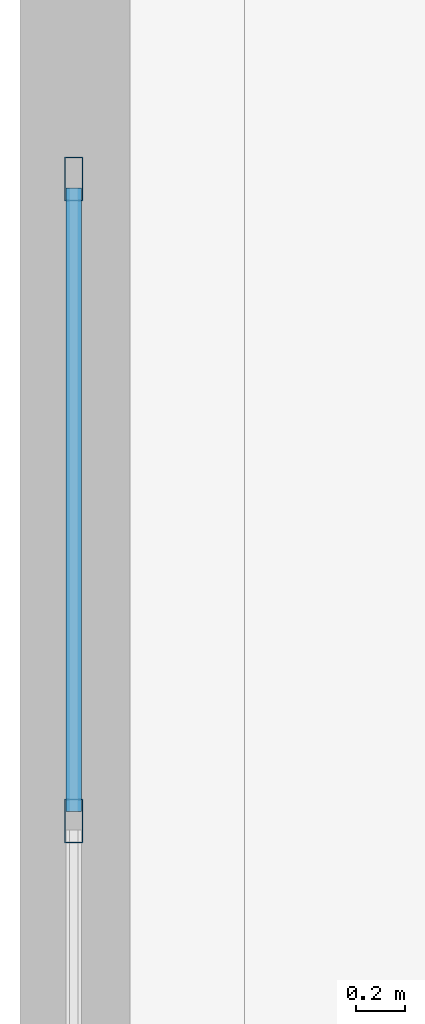
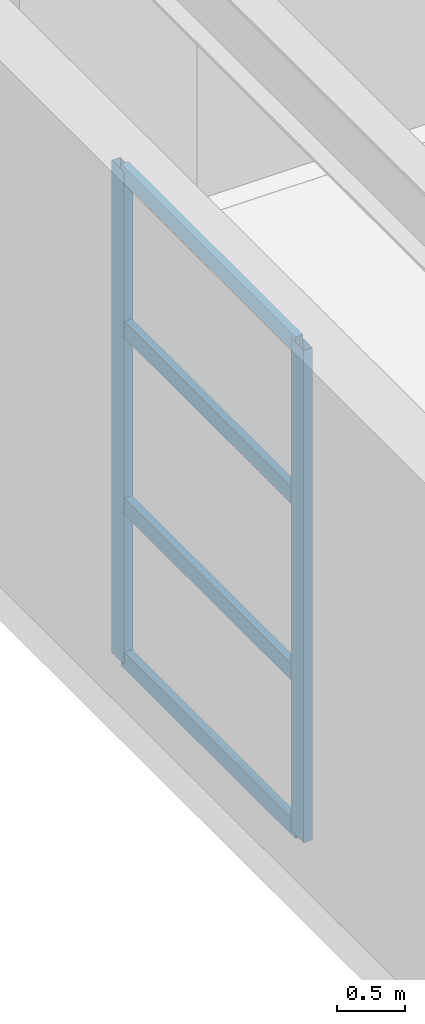
# One storey, part 12 of 35: 6 members, 1 element without a shape of its own.
"""IFC4 building model written with IfcOpenShell, lengths in metres."""

from ifc_helpers import new_model, si_unit, direction, frame, origin, origin_2d, place, context, subcontext, project, spatial, hollow_rectangle, extrude, material, layer, layer_set, material_profile, profile_set, type_object, element, aggregate, save


model = new_model("IFC4")

# Units and contexts
model_context = context("Model", 3, precision=1e-05, world=origin(), true_north=direction((0.0, 1.0)))
body_context = subcontext(model_context, "Body", "Model", "MODEL_VIEW")
ifc_project = project(units=[si_unit("LENGTHUNIT", "METRE"), si_unit("AREAUNIT", "SQUARE_METRE"), si_unit("VOLUMEUNIT", "CUBIC_METRE"), si_unit("PLANEANGLEUNIT", "RADIAN"), si_unit("MASSUNIT", "GRAM", prefix="KILO")], contexts=[model_context])

# Site, building, storey
site_placement = place(None, origin())
site = spatial("IfcSite", under=ifc_project, at=site_placement, CompositionType="ELEMENT")
building_placement = place(site_placement, origin())
building = spatial("IfcBuilding", under=site, at=building_placement, Name="Qiaolan Cultural Towers", CompositionType="ELEMENT")
storey_placement = place(building_placement, frame((0.0, 0.0, 11.5)))
storey = spatial("IfcBuildingStorey", under=building, at=storey_placement, Name="L02", CompositionType="ELEMENT", Elevation=11.5)

# Curtain wall, members
ifc_material_1 = material(Name="Unitized Anodized Aluminium Curtain Wall System", Category="aluminium")
ifc_layer = layer(ifc_material_1, 0.199951171875)
ifc_layer_set = layer_set([ifc_layer], Name="Unitized Anodized Aluminium Curtain Wall System")
curtain_wall_type = type_object("IfcCurtainWallType", Name="CWS-04", PredefinedType="NOTDEFINED", material=ifc_layer_set)
curtain_wall_placement = place(storey_placement, origin())
curtain_wall = element("IfcCurtainWall", 1, at=curtain_wall_placement, inside=storey, type_object=curtain_wall_type, Name="L02 West Exhibition Foyer Curtain Wall", PredefinedType="NOTDEFINED")
ifc_material_2 = material(Name="Extruded Aluminium 6063-T6", Category="aluminium")
ifc_material_profile_1 = material_profile(ifc_material_2, hollow_rectangle(XDim=0.074951171875, YDim=0.179931640625, WallThickness=0.00390625, at=origin_2d()), Name="CWM-180x75x4")
ifc_profile_set_1 = profile_set([ifc_material_profile_1], Name="Extruded Aluminium 6063-T6")
member_type_1 = type_object("IfcMemberType", Name="CWS-04-MUL", PredefinedType="MULLION", material=ifc_profile_set_1)
member_1_placement = place(storey_placement, frame((0.219970703125, 35.333251953125, 0.14990234375), z_axis=(0.0, 0.0, 1.0), x_axis=(-1.0, 0.0, 0.0)))
member_1 = element("IfcMember", 2, at=member_1_placement, type_object=member_type_1, Name="CW-4 mullion 3", PredefinedType="MULLION", context=body_context, shape_type="SweptSolid", body=[
    extrude(hollow_rectangle(XDim=0.074951171875, YDim=0.179931640625, WallThickness=0.00390625, at=origin_2d()), origin(), (0.0, 0.0, 1.0), 4.400146484375),
])
member_2_placement = place(storey_placement, frame((0.219970703125, 37.96240234375, 0.14990234375), z_axis=(0.0, 0.0, 1.0), x_axis=(-1.0, 0.0, 0.0)))
member_2 = element("IfcMember", 3, at=member_2_placement, type_object=member_type_1, Name="CW-4 mullion 4", PredefinedType="MULLION", context=body_context, shape_type="SweptSolid", body=[
    extrude(hollow_rectangle(XDim=0.074951171875, YDim=0.179931640625, WallThickness=0.00390625, at=origin_2d()), origin(), (0.0, 0.0, 1.0), 4.400146484375),
])
ifc_material_3 = material(Name="Extruded Aluminium 6063-T6", Category="aluminium")
ifc_material_profile_2 = material_profile(ifc_material_3, hollow_rectangle(XDim=0.06494140625, YDim=0.14990234375, WallThickness=0.00390625, at=origin_2d()), Name="CWT-150x65x4")
ifc_profile_set_2 = profile_set([ifc_material_profile_2], Name="Extruded Aluminium 6063-T6")
member_type_2 = type_object("IfcMemberType", Name="CWS-04-TRN", PredefinedType="USERDEFINED", material=ifc_profile_set_2)
member_3_placement = place(storey_placement, frame((0.219970703125, 35.370849609375, 0.1826171875), z_axis=(0.0, 1.0, 0.0), x_axis=(-1.0, 0.0, 0.0)))
member_3 = element("IfcMember", 4, at=member_3_placement, type_object=member_type_2, Name="CW-4 transom 3.1", ObjectType="TRANSOM", PredefinedType="USERDEFINED", context=body_context, shape_type="SweptSolid", body=[
    extrude(hollow_rectangle(XDim=0.06494140625, YDim=0.14990234375, WallThickness=0.00390625, at=origin_2d()), origin(), (0.0, 0.0, 1.0), 2.55419921875),
])
member_4_placement = place(storey_placement, frame((0.219970703125, 35.370849609375, 1.56005859375), z_axis=(0.0, 1.0, 0.0), x_axis=(-1.0, 0.0, 0.0)))
member_4 = element("IfcMember", 5, at=member_4_placement, type_object=member_type_2, Name="CW-4 transom 3.2", ObjectType="TRANSOM", PredefinedType="USERDEFINED", context=body_context, shape_type="SweptSolid", body=[
    extrude(hollow_rectangle(XDim=0.06494140625, YDim=0.14990234375, WallThickness=0.00390625, at=origin_2d()), origin(), (0.0, 0.0, 1.0), 2.55419921875),
])
member_5_placement = place(storey_placement, frame((0.219970703125, 35.370849609375, 3.139892578125), z_axis=(0.0, 1.0, 0.0), x_axis=(-1.0, 0.0, 0.0)))
member_5 = element("IfcMember", 6, at=member_5_placement, type_object=member_type_2, Name="CW-4 transom 3.3", ObjectType="TRANSOM", PredefinedType="USERDEFINED", context=body_context, shape_type="SweptSolid", body=[
    extrude(hollow_rectangle(XDim=0.06494140625, YDim=0.14990234375, WallThickness=0.00390625, at=origin_2d()), origin(), (0.0, 0.0, 1.0), 2.55419921875),
])
member_6_placement = place(storey_placement, frame((0.219970703125, 35.370849609375, 4.517578125), z_axis=(0.0, 1.0, 0.0), x_axis=(-1.0, 0.0, 0.0)))
member_6 = element("IfcMember", 7, at=member_6_placement, type_object=member_type_2, Name="CW-4 transom 3.4", ObjectType="TRANSOM", PredefinedType="USERDEFINED", context=body_context, shape_type="SweptSolid", body=[
    extrude(hollow_rectangle(XDim=0.06494140625, YDim=0.14990234375, WallThickness=0.00390625, at=origin_2d()), origin(), (0.0, 0.0, 1.0), 2.55419921875),
])
aggregate(curtain_wall, [member_1, member_2, member_3, member_4, member_5, member_6])

save(model, "model.ifc")
